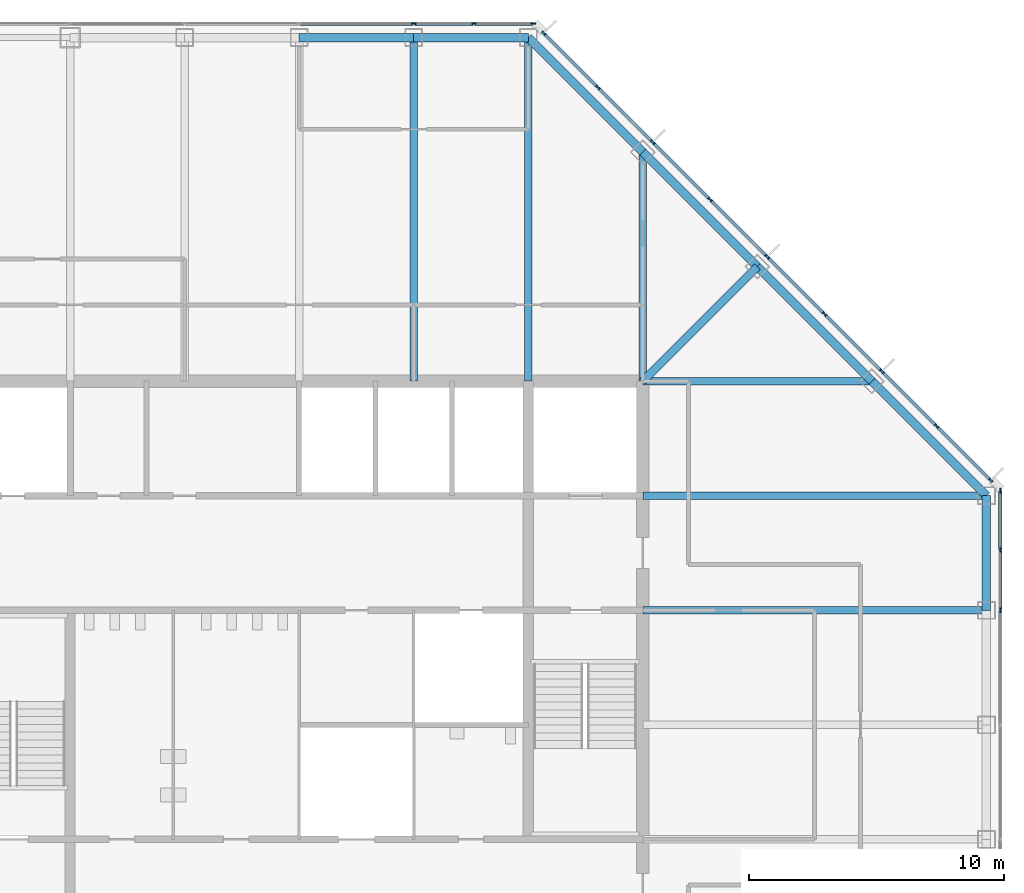
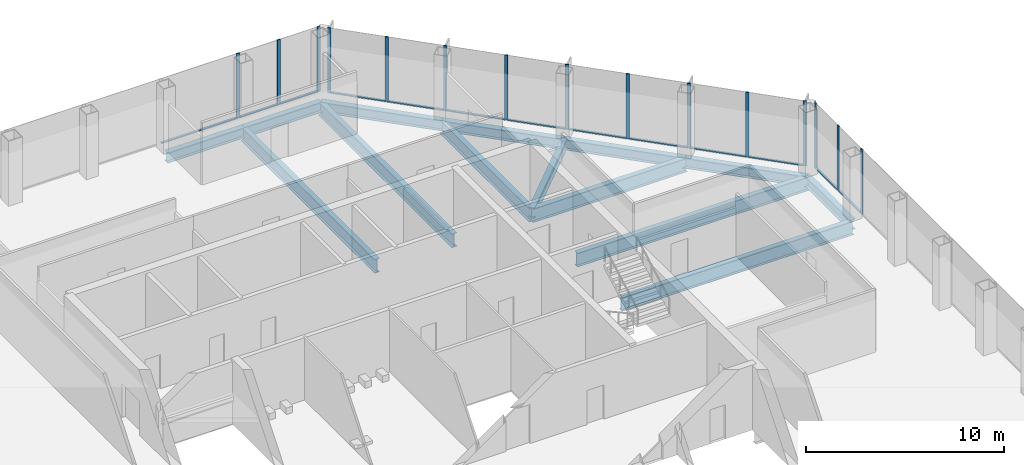
# One storey, part 6 of 12: 28 members, 14 beams, 3 elements without a shape of their own.
"""IFC4 building model written with IfcOpenShell, lengths in metres."""

import ifcopenshell
import ifcopenshell.guid

model = None  # the IFC model being written
_history = None  # IfcOwnerHistory: only IFC2X3 demands one
_inside = {}  # id of a spatial element -> (the spatial element, [elements in it])
_under = {}  # id of a project, library or spatial element -> (it, [spatial elements below it])
_declared = {}  # id of a project -> (the project, [libraries it declares])
_typed = {}  # id of a type object -> (the type object, [elements of that type])
_made_of = {}  # id of a material, layer set ... -> (it, [elements and type objects made of it])


def new_model(schema):
    """Start an empty IFC model of exactly this schema.

    Asked for "IFC4X3", IfcOpenShell would pick the latest addendum, in which some entities
    have other attributes; the version numbers below select the first issue.
    IFC2X3 requires an IfcOwnerHistory on every rooted entity: one is made here for all.
    """
    global model, _history
    if schema == "IFC4X3":
        model = ifcopenshell.file(schema_version=(4, 3, 0, 0))
    else:
        model = ifcopenshell.file(schema=schema)
    _inside.clear()
    _under.clear()
    _declared.clear()
    _typed.clear()
    _made_of.clear()
    _history = None
    if model.schema == "IFC2X3":
        org = make("IfcOrganization", Name="unknown")
        user = make(
            "IfcPersonAndOrganization",
            ThePerson=make("IfcPerson", FamilyName="unknown"),
            TheOrganization=org,
        )
        app = make(
            "IfcApplication",
            ApplicationDeveloper=org,
            Version="unknown",
            ApplicationFullName="unknown",
            ApplicationIdentifier="unknown",
        )
        _history = make(
            "IfcOwnerHistory",
            OwningUser=user,
            OwningApplication=app,
            ChangeAction="ADDED",
            CreationDate=0,
        )
    return model


def make(cls, **values):
    """One entity of the class cls with the attributes given. An attribute that is None is left unset."""
    return model.create_entity(
        cls, **{name: value for name, value in values.items() if value is not None}
    )


def rooted(cls, **values):
    """An entity with a GlobalId (a new one), such as an element, a storey or a relation."""
    return make(cls, GlobalId=ifcopenshell.guid.new(), OwnerHistory=_history, **values)


def si_unit(unit_type, name, prefix=None):
    """IfcSIUnit, for example si_unit("LENGTHUNIT", "METRE", prefix="MILLI")."""
    return make("IfcSIUnit", UnitType=unit_type, Prefix=prefix, Name=name)


def assignment(units):
    """IfcUnitAssignment: the units of a project."""
    return None if units is None else make("IfcUnitAssignment", Units=units)


def point(xyz):
    """IfcCartesianPoint."""
    return None if xyz is None else make("IfcCartesianPoint", Coordinates=xyz)


def direction(xyz):
    """IfcDirection."""
    return None if xyz is None else make("IfcDirection", DirectionRatios=xyz)


def frame(location, z_axis=None, x_axis=None):
    """IfcAxis2Placement3D, a coordinate frame: its origin and axes. An axis left out is left unset."""
    return make(
        "IfcAxis2Placement3D",
        Location=point(location),
        Axis=direction(z_axis),
        RefDirection=direction(x_axis),
    )


def frame_2d(location, x_axis=None):
    """IfcAxis2Placement2D, a coordinate frame in the plane: its origin and x axis."""
    return make(
        "IfcAxis2Placement2D", Location=point(location), RefDirection=direction(x_axis)
    )


def origin():
    """The frame at (0, 0, 0) with its axes left unset."""
    return frame((0.0, 0.0, 0.0))


def origin_2d():
    """The frame at (0, 0) in the plane with its x axis left unset."""
    return frame_2d((0.0, 0.0))


def place(relative_to, where):
    """IfcLocalPlacement: puts the frame where relative to a parent placement (None: the world)."""
    return make(
        "IfcLocalPlacement", PlacementRelTo=relative_to, RelativePlacement=where
    )


def context(
    kind, dimensions, precision=None, world=None, true_north=None, identifier=None
):
    """IfcGeometricRepresentationContext, for example the 3D "Model" context."""
    return make(
        "IfcGeometricRepresentationContext",
        ContextIdentifier=identifier,
        ContextType=kind,
        CoordinateSpaceDimension=dimensions,
        Precision=precision,
        WorldCoordinateSystem=world,
        TrueNorth=true_north,
    )


def subcontext(parent, identifier, kind, view, scale=None):
    """IfcGeometricRepresentationSubContext, for example "Body" below "Model"."""
    return make(
        "IfcGeometricRepresentationSubContext",
        ContextIdentifier=identifier,
        ContextType=kind,
        ParentContext=parent,
        TargetScale=scale,
        TargetView=view,
    )


def project(units=None, contexts=None):
    """IfcProject with its units and contexts."""
    return rooted(
        "IfcProject",
        Name="project",
        RepresentationContexts=contexts,
        UnitsInContext=assignment(units),
    )


def spatial(cls, under=None, at=None, **own):
    """A site, building, storey or space (cls), placed at a placement, below another one or the project."""
    s = rooted(cls, ObjectPlacement=at, **own)
    if under is not None:
        _under.setdefault(under.id(), (under, []))[1].append(s)
    return s


def profile(cls, at=None, kind="AREA", **sizes):
    """A parametric profile (cls). Its sizes go by their IFC names, for example OverallWidth=200.0."""
    return make(cls, ProfileType=kind, Position=at, **sizes)


def rectangle(**sizes):
    """IfcRectangleProfileDef."""
    return profile("IfcRectangleProfileDef", **sizes)


def i_section(**sizes):
    """IfcIShapeProfileDef."""
    return profile("IfcIShapeProfileDef", **sizes)


def extrude(swept, where, along, depth):
    """IfcExtrudedAreaSolid: the profile swept, set in the frame where, extruded along a direction by depth."""
    return make(
        "IfcExtrudedAreaSolid",
        SweptArea=swept,
        Position=where,
        ExtrudedDirection=direction(along),
        Depth=depth,
    )


def shape(context_of_items, identifier, shape_type, items):
    """IfcShapeRepresentation: the items that make up one representation, for example the "Body"."""
    return make(
        "IfcShapeRepresentation",
        ContextOfItems=context_of_items,
        RepresentationIdentifier=identifier,
        RepresentationType=shape_type,
        Items=items,
    )


def material(Name=None, Category=None):
    """IfcMaterial."""
    return make("IfcMaterial", Name=Name, Category=Category)


def material_profile(
    of_material, cross_section, Name=None, Category=None, Priority=None
):
    """IfcMaterialProfile: a cross section and its material."""
    return make(
        "IfcMaterialProfile",
        Name=Name,
        Material=of_material,
        Profile=cross_section,
        Priority=Priority,
        Category=Category,
    )


def profile_set(profiles, Name=None, composite=None):
    """IfcMaterialProfileSet."""
    return make(
        "IfcMaterialProfileSet",
        Name=Name,
        MaterialProfiles=profiles,
        CompositeProfile=composite,
    )


def made_of(thing, what):
    """Note that an element or type object is made of a material, layer set ...; save() writes the relation."""
    if what is not None:
        _made_of.setdefault(what.id(), (what, []))[1].append(thing)
    return thing


def type_object(cls, material=None, **own):
    """A type object (cls), such as IfcWallType, which elements share."""
    return made_of(rooted(cls, **own), material)


def element(
    cls,
    number,
    at=None,
    inside=None,
    cuts=None,
    type_object=None,
    material=None,
    context=None,
    identifier="Body",
    shape_type=None,
    held_by="IfcProductDefinitionShape",
    body=None,
    shapes=None,
    **own,
):
    """One element of the class cls, such as IfcWall. Its Tag is "e" and its number.

    at: its placement. inside: the storey or other place that contains it. cuts: it is an
    opening in that element (IfcRelVoidsElement). A single representation is given by context,
    identifier, shape_type and body (its items); several are given by shapes. held_by: the class
    of the entity that holds the representations. save() writes the other relations.
    """
    e = rooted(cls, Tag="e%d" % number, ObjectPlacement=at, **own)
    if body is not None:
        shapes = [shape(context, identifier, shape_type, body)]
    if shapes is not None:
        e.Representation = make(held_by, Representations=shapes)
    if inside is not None:
        _inside.setdefault(inside.id(), (inside, []))[1].append(e)
    if cuts is not None:
        rooted(
            "IfcRelVoidsElement", RelatingBuildingElement=cuts, RelatedOpeningElement=e
        )
    if type_object is not None:
        _typed.setdefault(type_object.id(), (type_object, []))[1].append(e)
    return made_of(e, material)


def aggregate(whole, parts):
    """IfcRelAggregates: a whole, such as a stair, and the parts it consists of."""
    return rooted("IfcRelAggregates", RelatingObject=whole, RelatedObjects=parts)


def save(model, path):
    """Write the relations noted so far, then the file.

    IfcRelAggregates (storeys below a building ...), IfcRelContainedInSpatialStructure (elements
    in a storey), IfcRelDefinesByType, IfcRelAssociatesMaterial and IfcRelDeclares: one each for
    every whole, place, type object, material and project.
    """
    for whole, parts in _under.values():
        aggregate(whole, parts)
    for where, things in _inside.values():
        rooted(
            "IfcRelContainedInSpatialStructure",
            RelatedElements=things,
            RelatingStructure=where,
        )
    for kind, things in _typed.values():
        rooted("IfcRelDefinesByType", RelatedObjects=things, RelatingType=kind)
    for what, things in _made_of.values():
        rooted("IfcRelAssociatesMaterial", RelatedObjects=things, RelatingMaterial=what)
    for by, libraries in _declared.values():
        rooted("IfcRelDeclares", RelatingContext=by, RelatedDefinitions=libraries)
    model.write(path)


model = new_model("IFC4")

# Units and contexts
model_context = context("Model", 3, precision=1e-05, world=origin(), true_north=direction((0.0, 1.0)))
body_context = subcontext(model_context, "Body", "Model", "MODEL_VIEW")
ifc_project = project(units=[si_unit("LENGTHUNIT", "METRE"), si_unit("AREAUNIT", "SQUARE_METRE"), si_unit("VOLUMEUNIT", "CUBIC_METRE"), si_unit("PLANEANGLEUNIT", "RADIAN"), si_unit("MASSUNIT", "GRAM", prefix="KILO")], contexts=[model_context])

# Site, building, storey
site_placement = place(None, origin())
site = spatial("IfcSite", under=ifc_project, at=site_placement, CompositionType="ELEMENT")
building_placement = place(site_placement, origin())
building = spatial("IfcBuilding", under=site, at=building_placement, Name="Corais Broadcast Tower", CompositionType="ELEMENT")
storey_placement = place(building_placement, frame((0.0, 0.0, 183.60009765625)))
storey = spatial("IfcBuildingStorey", under=building, at=storey_placement, Name="L42", CompositionType="ELEMENT", Elevation=183.60009765625)

# Beams
ifc_material_1 = material(Name="Steel ASTM A572 Grade 50", Category="steel")
ifc_material_profile_1 = material_profile(ifc_material_1, i_section(OverallWidth=0.323974609375, OverallDepth=0.611083984375, WebThickness=0.0126953125, FlangeThickness=0.01904296875, at=origin_2d()), Name="W610x155")
ifc_profile_set_1 = profile_set([ifc_material_profile_1], Name="Steel ASTM A572 Grade 50")
beam_type_1 = type_object("IfcBeamType", Name="Corner diagonal W610x155", PredefinedType="BEAM", material=ifc_profile_set_1)
beam_1_placement = place(storey_placement, frame((45.0, 45.0, -0.465576171875), z_axis=(-0.707106781187, -0.707106781187, 0.0), x_axis=(0.707106781187, -0.707106781187, 0.0)))
element("IfcBeam", 1, at=beam_1_placement, inside=storey, type_object=beam_type_1, Name="B6 L/13 to K/12", PredefinedType="BEAM", context=body_context, shape_type="SweptSolid", body=[
    extrude(i_section(OverallWidth=0.323974609375, OverallDepth=0.611083984375, WebThickness=0.0126953125, FlangeThickness=0.01904296875, at=origin_2d()), origin(), (0.0, 0.0, 1.0), 6.364013671875),
])
ifc_material_2 = material(Name="Steel ASTM A572 Grade 50", Category="steel")
ifc_material_profile_2 = material_profile(ifc_material_2, i_section(OverallWidth=0.2939453125, OverallDepth=0.85107421875, WebThickness=0.01611328125, FlangeThickness=0.02685546875, at=origin_2d()), Name="W840x226")
ifc_profile_set_2 = profile_set([ifc_material_profile_2], Name="Steel ASTM A572 Grade 50")
beam_type_2 = type_object("IfcBeamType", Name="Floor beam W840x226", PredefinedType="BEAM", material=ifc_profile_set_2)
for number, where, z_axis, x_axis, name in (
    (2, (31.5, 54.0, -0.585693359375), (0.0, -1.0, 0.0), (1.0, 0.0, 0.0), "B1 N/10 to K/10"),
    (3, (36.0, 54.0, -0.585693359375), (0.0, -1.0, 0.0), (1.0, 0.0, 0.0), "B1 N/11 to K/11"),
):
    element("IfcBeam", number, at=place(storey_placement, frame(where, z_axis=z_axis, x_axis=x_axis)), inside=storey, type_object=beam_type_2, Name=name, PredefinedType="BEAM", context=body_context, shape_type="SweptSolid", body=[
        extrude(i_section(OverallWidth=0.2939453125, OverallDepth=0.85107421875, WebThickness=0.01611328125, FlangeThickness=0.02685546875, at=origin_2d()), origin(), (0.0, 0.0, 1.0), 13.5),
    ])
for number, where, z_axis, x_axis, name in (
    (4, (40.5, 49.5, -0.585693359375), (0.0, -1.0, 0.0), (1.0, 0.0, 0.0), "B1 M/12 to K/12"),
    (5, (49.5, 40.5, -0.585693359375), (-1.0, 0.0, 0.0), (0.0, -1.0, 0.0), "B1 K/14 to K/12"),
):
    element("IfcBeam", number, at=place(storey_placement, frame(where, z_axis=z_axis, x_axis=x_axis)), inside=storey, type_object=beam_type_2, Name=name, PredefinedType="BEAM", context=body_context, shape_type="SweptSolid", body=[
        extrude(i_section(OverallWidth=0.2939453125, OverallDepth=0.85107421875, WebThickness=0.01611328125, FlangeThickness=0.02685546875, at=origin_2d()), origin(), (0.0, 0.0, 1.0), 9.0),
    ])
for number, where, z_axis, x_axis, name in (
    (6, (54.0, 31.5, -0.585693359375), (-1.0, 0.0, 0.0), (0.0, -1.0, 0.0), "B1 H/15 to H/12"),
    (7, (54.0, 36.0, -0.585693359375), (-1.0, 0.0, 0.0), (0.0, -1.0, 0.0), "B1 J/15 to J/12"),
):
    element("IfcBeam", number, at=place(storey_placement, frame(where, z_axis=z_axis, x_axis=x_axis)), inside=storey, type_object=beam_type_2, Name=name, PredefinedType="BEAM", context=body_context, shape_type="SweptSolid", body=[
        extrude(i_section(OverallWidth=0.2939453125, OverallDepth=0.85107421875, WebThickness=0.01611328125, FlangeThickness=0.02685546875, at=origin_2d()), origin(), (0.0, 0.0, 1.0), 13.5),
    ])

# Curtain wall, members
ifc_material_3 = material(Name="Aluminium and glass", Category="aluminium")
curtain_wall_type = type_object("IfcCurtainWallType", Name="Unitised fritted curtain wall CW2", PredefinedType="NOTDEFINED", material=ifc_material_3)
curtain_wall_1_placement = place(storey_placement, origin())
curtain_wall_1 = element("IfcCurtainWall", 8, at=curtain_wall_1_placement, inside=storey, type_object=curtain_wall_type, Name="CW2 curtain wall L42 4", PredefinedType="NOTDEFINED")
ifc_material_4 = material(Name="Aluminium 6063-T6", Category="aluminium")
ifc_material_profile_3 = material_profile(ifc_material_4, rectangle(XDim=0.06494140625, YDim=0.179931640625, at=origin_2d()), Name="Mullion CW2 65x180")
ifc_profile_set_3 = profile_set([ifc_material_profile_3], Name="Aluminium 6063-T6")
member_type_1 = type_object("IfcMemberType", Name="Mullion CW2 65x180", PredefinedType="MULLION", material=ifc_profile_set_3)
member_1_placement = place(storey_placement, frame((31.5, 54.550048828125, 0.0), z_axis=(0.0, 0.0, 1.0), x_axis=(0.0, 1.0, 0.0)))
member_1 = element("IfcMember", 9, at=member_1_placement, type_object=member_type_1, Name="CW2 mullion 7", PredefinedType="MULLION", context=body_context, shape_type="SweptSolid", body=[
    extrude(rectangle(XDim=0.06494140625, YDim=0.179931640625, at=origin_2d()), origin(), (0.0, 0.0, 1.0), 4.0),
])
member_2_placement = place(storey_placement, frame((33.864013671875, 54.550048828125, 0.0), z_axis=(0.0, 0.0, 1.0), x_axis=(0.0, 1.0, 0.0)))
member_2 = element("IfcMember", 10, at=member_2_placement, type_object=member_type_1, Name="CW2 mullion 8", PredefinedType="MULLION", context=body_context, shape_type="SweptSolid", body=[
    extrude(rectangle(XDim=0.06494140625, YDim=0.179931640625, at=origin_2d()), origin(), (0.0, 0.0, 1.0), 4.0),
])
member_3_placement = place(storey_placement, frame((36.1953125, 54.550048828125, 0.0), z_axis=(0.0, 0.0, 1.0), x_axis=(0.0, 1.0, 0.0)))
member_3 = element("IfcMember", 11, at=member_3_placement, type_object=member_type_1, Name="CW2 mullion 9", PredefinedType="MULLION", context=body_context, shape_type="SweptSolid", body=[
    extrude(rectangle(XDim=0.06494140625, YDim=0.179931640625, at=origin_2d()), origin(), (0.0, 0.0, 1.0), 4.0),
])

curtain_wall_2_placement = place(storey_placement, origin())
curtain_wall_2 = element("IfcCurtainWall", 12, at=curtain_wall_2_placement, inside=storey, type_object=curtain_wall_type, Name="CW2 curtain wall L42 5", PredefinedType="NOTDEFINED")
member_4_placement = place(storey_placement, frame((36.6044921875, 54.17333984375, 0.0), z_axis=(0.0, 0.0, 1.0), x_axis=(0.707106781187, 0.707106781187, 0.0)))
member_4 = element("IfcMember", 13, at=member_4_placement, type_object=member_type_1, Name="CW2 mullion 1", PredefinedType="MULLION", context=body_context, shape_type="SweptSolid", body=[
    extrude(rectangle(XDim=0.06494140625, YDim=0.179931640625, at=origin_2d()), origin(), (0.0, 0.0, 1.0), 4.0),
])
member_5_placement = place(storey_placement, frame((38.735107421875, 52.042724609375, 0.0), z_axis=(0.0, 0.0, 1.0), x_axis=(0.707106781187, 0.707106781187, 0.0)))
member_5 = element("IfcMember", 14, at=member_5_placement, type_object=member_type_1, Name="CW2 mullion 2", PredefinedType="MULLION", context=body_context, shape_type="SweptSolid", body=[
    extrude(rectangle(XDim=0.06494140625, YDim=0.179931640625, at=origin_2d()), origin(), (0.0, 0.0, 1.0), 4.0),
])
member_6_placement = place(storey_placement, frame((40.888916015625, 49.888916015625, 0.0), z_axis=(0.0, 0.0, 1.0), x_axis=(0.707106781187, 0.707106781187, 0.0)))
member_6 = element("IfcMember", 15, at=member_6_placement, type_object=member_type_1, Name="CW2 mullion 3", PredefinedType="MULLION", context=body_context, shape_type="SweptSolid", body=[
    extrude(rectangle(XDim=0.06494140625, YDim=0.179931640625, at=origin_2d()), origin(), (0.0, 0.0, 1.0), 4.0),
])
member_7_placement = place(storey_placement, frame((43.138916015625, 47.638916015625, 0.0), z_axis=(0.0, 0.0, 1.0), x_axis=(0.707106781187, 0.707106781187, 0.0)))
member_7 = element("IfcMember", 16, at=member_7_placement, type_object=member_type_1, Name="CW2 mullion 4", PredefinedType="MULLION", context=body_context, shape_type="SweptSolid", body=[
    extrude(rectangle(XDim=0.06494140625, YDim=0.179931640625, at=origin_2d()), origin(), (0.0, 0.0, 1.0), 4.0),
])
member_8_placement = place(storey_placement, frame((45.388916015625, 45.388916015625, 0.0), z_axis=(0.0, 0.0, 1.0), x_axis=(0.707106781187, 0.707106781187, 0.0)))
member_8 = element("IfcMember", 17, at=member_8_placement, type_object=member_type_1, Name="CW2 mullion 5", PredefinedType="MULLION", context=body_context, shape_type="SweptSolid", body=[
    extrude(rectangle(XDim=0.06494140625, YDim=0.179931640625, at=origin_2d()), origin(), (0.0, 0.0, 1.0), 4.0),
])
member_9_placement = place(storey_placement, frame((47.638916015625, 43.138916015625, 0.0), z_axis=(0.0, 0.0, 1.0), x_axis=(0.707106781187, 0.707106781187, 0.0)))
member_9 = element("IfcMember", 18, at=member_9_placement, type_object=member_type_1, Name="CW2 mullion 6", PredefinedType="MULLION", context=body_context, shape_type="SweptSolid", body=[
    extrude(rectangle(XDim=0.06494140625, YDim=0.179931640625, at=origin_2d()), origin(), (0.0, 0.0, 1.0), 4.0),
])
member_10_placement = place(storey_placement, frame((49.888916015625, 40.888916015625, 0.0), z_axis=(0.0, 0.0, 1.0), x_axis=(0.707106781187, 0.707106781187, 0.0)))
member_10 = element("IfcMember", 19, at=member_10_placement, type_object=member_type_1, Name="CW2 mullion 7", PredefinedType="MULLION", context=body_context, shape_type="SweptSolid", body=[
    extrude(rectangle(XDim=0.06494140625, YDim=0.179931640625, at=origin_2d()), origin(), (0.0, 0.0, 1.0), 4.0),
])
member_11_placement = place(storey_placement, frame((52.042724609375, 38.735107421875, 0.0), z_axis=(0.0, 0.0, 1.0), x_axis=(0.707106781187, 0.707106781187, 0.0)))
member_11 = element("IfcMember", 20, at=member_11_placement, type_object=member_type_1, Name="CW2 mullion 8", PredefinedType="MULLION", context=body_context, shape_type="SweptSolid", body=[
    extrude(rectangle(XDim=0.06494140625, YDim=0.179931640625, at=origin_2d()), origin(), (0.0, 0.0, 1.0), 4.0),
])
member_12_placement = place(storey_placement, frame((54.17333984375, 36.6044921875, 0.0), z_axis=(0.0, 0.0, 1.0), x_axis=(0.707106781187, 0.707106781187, 0.0)))
member_12 = element("IfcMember", 21, at=member_12_placement, type_object=member_type_1, Name="CW2 mullion 9", PredefinedType="MULLION", context=body_context, shape_type="SweptSolid", body=[
    extrude(rectangle(XDim=0.06494140625, YDim=0.179931640625, at=origin_2d()), origin(), (0.0, 0.0, 1.0), 4.0),
])

curtain_wall_3_placement = place(storey_placement, origin())
curtain_wall_3 = element("IfcCurtainWall", 22, at=curtain_wall_3_placement, inside=storey, type_object=curtain_wall_type, Name="CW2 curtain wall L42 6", PredefinedType="NOTDEFINED")
member_13_placement = place(storey_placement, frame((54.550048828125, 36.1953125, 0.0), z_axis=(0.0, 0.0, 1.0), x_axis=(1.0, 0.0, 0.0)))
member_13 = element("IfcMember", 23, at=member_13_placement, type_object=member_type_1, Name="CW2 mullion 1", PredefinedType="MULLION", context=body_context, shape_type="SweptSolid", body=[
    extrude(rectangle(XDim=0.06494140625, YDim=0.179931640625, at=origin_2d()), origin(), (0.0, 0.0, 1.0), 4.0),
])
member_14_placement = place(storey_placement, frame((54.550048828125, 33.864013671875, 0.0), z_axis=(0.0, 0.0, 1.0), x_axis=(1.0, 0.0, 0.0)))
member_14 = element("IfcMember", 24, at=member_14_placement, type_object=member_type_1, Name="CW2 mullion 2", PredefinedType="MULLION", context=body_context, shape_type="SweptSolid", body=[
    extrude(rectangle(XDim=0.06494140625, YDim=0.179931640625, at=origin_2d()), origin(), (0.0, 0.0, 1.0), 4.0),
])
member_15_placement = place(storey_placement, frame((54.550048828125, 31.5, 0.0), z_axis=(0.0, 0.0, 1.0), x_axis=(1.0, 0.0, 0.0)))
member_15 = element("IfcMember", 25, at=member_15_placement, type_object=member_type_1, Name="CW2 mullion 3", PredefinedType="MULLION", context=body_context, shape_type="SweptSolid", body=[
    extrude(rectangle(XDim=0.06494140625, YDim=0.179931640625, at=origin_2d()), origin(), (0.0, 0.0, 1.0), 4.0),
])

# Beams
ifc_material_5 = material(Name="Steel ASTM A572 Grade 50", Category="steel")
ifc_material_profile_4 = material_profile(ifc_material_5, i_section(OverallWidth=0.3291015625, OverallDepth=0.635009765625, WebThickness=0.017822265625, FlangeThickness=0.031005859375, at=origin_2d()), Name="W610x241")
ifc_profile_set_4 = profile_set([ifc_material_profile_4], Name="Steel ASTM A572 Grade 50")
beam_type_3 = type_object("IfcBeamType", Name="Spandrel W610x241", PredefinedType="BEAM", material=ifc_profile_set_4)
for number, where, z_axis, x_axis, name in (
    (26, (31.5, 54.0, -0.4775390625), (-1.0, 0.0, 0.0), (0.0, -1.0, 0.0), "SB1 N/10 to N/9"),
    (27, (36.0, 54.0, -0.4775390625), (-1.0, 0.0, 0.0), (0.0, -1.0, 0.0), "SB1 N/11 to N/10"),
):
    element("IfcBeam", number, at=place(storey_placement, frame(where, z_axis=z_axis, x_axis=x_axis)), inside=storey, type_object=beam_type_3, Name=name, PredefinedType="BEAM", context=body_context, shape_type="SweptSolid", body=[
        extrude(i_section(OverallWidth=0.3291015625, OverallDepth=0.635009765625, WebThickness=0.017822265625, FlangeThickness=0.031005859375, at=origin_2d()), origin(), (0.0, 0.0, 1.0), 4.5),
    ])
for number, where, z_axis, x_axis, name in (
    (28, (40.5, 49.5, -0.4775390625), (-0.707106781187, 0.707106781187, 0.0), (-0.707106781187, -0.707106781187, 0.0), "SB1 M/12 to N/11"),
    (29, (45.0, 45.0, -0.4775390625), (-0.707106781187, 0.707106781187, 0.0), (-0.707106781187, -0.707106781187, 0.0), "SB1 L/13 to M/12"),
    (30, (49.5, 40.5, -0.4775390625), (-0.707106781187, 0.707106781187, 0.0), (-0.707106781187, -0.707106781187, 0.0), "SB1 K/14 to L/13"),
):
    element("IfcBeam", number, at=place(storey_placement, frame(where, z_axis=z_axis, x_axis=x_axis)), inside=storey, type_object=beam_type_3, Name=name, PredefinedType="BEAM", context=body_context, shape_type="SweptSolid", body=[
        extrude(i_section(OverallWidth=0.3291015625, OverallDepth=0.635009765625, WebThickness=0.017822265625, FlangeThickness=0.031005859375, at=origin_2d()), origin(), (0.0, 0.0, 1.0), 6.364013671875),
    ])
beam_2_placement = place(storey_placement, frame((54.0, 31.5, -0.4775390625), z_axis=(0.0, 1.0, 0.0), x_axis=(-1.0, 0.0, 0.0)))
element("IfcBeam", 31, at=beam_2_placement, inside=storey, type_object=beam_type_3, Name="SB1 H/15 to J/15", PredefinedType="BEAM", context=body_context, shape_type="SweptSolid", body=[
    extrude(i_section(OverallWidth=0.3291015625, OverallDepth=0.635009765625, WebThickness=0.017822265625, FlangeThickness=0.031005859375, at=origin_2d()), origin(), (0.0, 0.0, 1.0), 4.5),
])
beam_3_placement = place(storey_placement, frame((54.0, 36.0, -0.4775390625), z_axis=(-0.707106781187, 0.707106781187, 0.0), x_axis=(-0.707106781187, -0.707106781187, 0.0)))
element("IfcBeam", 32, at=beam_3_placement, inside=storey, type_object=beam_type_3, Name="SB1 J/15 to K/14", PredefinedType="BEAM", context=body_context, shape_type="SweptSolid", body=[
    extrude(i_section(OverallWidth=0.3291015625, OverallDepth=0.635009765625, WebThickness=0.017822265625, FlangeThickness=0.031005859375, at=origin_2d()), origin(), (0.0, 0.0, 1.0), 6.364013671875),
])

# Member
ifc_material_6 = material(Name="Aluminium 6063-T6", Category="aluminium")
ifc_material_profile_5 = material_profile(ifc_material_6, rectangle(XDim=0.1298828125, YDim=0.06494140625, at=origin_2d()), Name="Transom CW2 65x130")
ifc_profile_set_5 = profile_set([ifc_material_profile_5], Name="Aluminium 6063-T6")
member_type_2 = type_object("IfcMemberType", Name="Transom CW2 65x130", PredefinedType="USERDEFINED", material=ifc_profile_set_5)
member_16_placement = place(storey_placement, frame((27.032470703125, 54.550048828125, 0.032470703125), z_axis=(1.0, 0.0, 0.0), x_axis=(0.0, 1.0, 0.0)))
member_16 = element("IfcMember", 33, at=member_16_placement, type_object=member_type_2, Name="CW2 transom 6.1", ObjectType="TRANSOM", PredefinedType="USERDEFINED", context=body_context, shape_type="SweptSolid", body=[
    extrude(rectangle(XDim=0.1298828125, YDim=0.06494140625, at=origin_2d()), origin(), (0.0, 0.0, 1.0), 4.43505859375),
])

member_17_placement = place(storey_placement, frame((31.532470703125, 54.550048828125, 0.032470703125), z_axis=(1.0, 0.0, 0.0), x_axis=(0.0, 1.0, 0.0)))
member_17 = element("IfcMember", 34, at=member_17_placement, type_object=member_type_2, Name="CW2 transom 7.1", ObjectType="TRANSOM", PredefinedType="USERDEFINED", context=body_context, shape_type="SweptSolid", body=[
    extrude(rectangle(XDim=0.1298828125, YDim=0.06494140625, at=origin_2d()), origin(), (0.0, 0.0, 1.0), 2.298828125),
])

member_18_placement = place(storey_placement, frame((33.896484375, 54.550048828125, 0.032470703125), z_axis=(1.0, 0.0, 0.0), x_axis=(0.0, 1.0, 0.0)))
member_18 = element("IfcMember", 35, at=member_18_placement, type_object=member_type_2, Name="CW2 transom 8.1", ObjectType="TRANSOM", PredefinedType="USERDEFINED", context=body_context, shape_type="SweptSolid", body=[
    extrude(rectangle(XDim=0.1298828125, YDim=0.06494140625, at=origin_2d()), origin(), (0.0, 0.0, 1.0), 2.266357421875),
])

aggregate(curtain_wall_1, [member_1, member_2, member_3, member_16, member_17, member_18])

member_19_placement = place(storey_placement, frame((36.62744140625, 54.150390625, 0.032470703125), z_axis=(0.707106781187, -0.707106781187, 0.0), x_axis=(0.707106781187, 0.707106781187, 0.0)))
member_19 = element("IfcMember", 36, at=member_19_placement, type_object=member_type_2, Name="CW2 transom 1.1", ObjectType="TRANSOM", PredefinedType="USERDEFINED", context=body_context, shape_type="SweptSolid", body=[
    extrude(rectangle(XDim=0.1298828125, YDim=0.06494140625, at=origin_2d()), origin(), (0.0, 0.0, 1.0), 2.9482421875),
])

member_20_placement = place(storey_placement, frame((38.758056640625, 52.019775390625, 0.032470703125), z_axis=(0.707106781187, -0.707106781187, 0.0), x_axis=(0.707106781187, 0.707106781187, 0.0)))
member_20 = element("IfcMember", 37, at=member_20_placement, type_object=member_type_2, Name="CW2 transom 2.1", ObjectType="TRANSOM", PredefinedType="USERDEFINED", context=body_context, shape_type="SweptSolid", body=[
    extrude(rectangle(XDim=0.1298828125, YDim=0.06494140625, at=origin_2d()), origin(), (0.0, 0.0, 1.0), 2.98095703125),
])

member_21_placement = place(storey_placement, frame((40.911865234375, 49.865966796875, 0.032470703125), z_axis=(0.707106781187, -0.707106781187, 0.0), x_axis=(0.707106781187, 0.707106781187, 0.0)))
member_21 = element("IfcMember", 38, at=member_21_placement, type_object=member_type_2, Name="CW2 transom 3.1", ObjectType="TRANSOM", PredefinedType="USERDEFINED", context=body_context, shape_type="SweptSolid", body=[
    extrude(rectangle(XDim=0.1298828125, YDim=0.06494140625, at=origin_2d()), origin(), (0.0, 0.0, 1.0), 3.1171875),
])

member_22_placement = place(storey_placement, frame((43.161865234375, 47.615966796875, 0.032470703125), z_axis=(0.707106781187, -0.707106781187, 0.0), x_axis=(0.707106781187, 0.707106781187, 0.0)))
member_22 = element("IfcMember", 39, at=member_22_placement, type_object=member_type_2, Name="CW2 transom 4.1", ObjectType="TRANSOM", PredefinedType="USERDEFINED", context=body_context, shape_type="SweptSolid", body=[
    extrude(rectangle(XDim=0.1298828125, YDim=0.06494140625, at=origin_2d()), origin(), (0.0, 0.0, 1.0), 3.1171875),
])

member_23_placement = place(storey_placement, frame((45.411865234375, 45.365966796875, 0.032470703125), z_axis=(0.707106781187, -0.707106781187, 0.0), x_axis=(0.707106781187, 0.707106781187, 0.0)))
member_23 = element("IfcMember", 40, at=member_23_placement, type_object=member_type_2, Name="CW2 transom 5.1", ObjectType="TRANSOM", PredefinedType="USERDEFINED", context=body_context, shape_type="SweptSolid", body=[
    extrude(rectangle(XDim=0.1298828125, YDim=0.06494140625, at=origin_2d()), origin(), (0.0, 0.0, 1.0), 3.1171875),
])

member_24_placement = place(storey_placement, frame((47.661865234375, 43.115966796875, 0.032470703125), z_axis=(0.707106781187, -0.707106781187, 0.0), x_axis=(0.707106781187, 0.707106781187, 0.0)))
member_24 = element("IfcMember", 41, at=member_24_placement, type_object=member_type_2, Name="CW2 transom 6.1", ObjectType="TRANSOM", PredefinedType="USERDEFINED", context=body_context, shape_type="SweptSolid", body=[
    extrude(rectangle(XDim=0.1298828125, YDim=0.06494140625, at=origin_2d()), origin(), (0.0, 0.0, 1.0), 3.1171875),
])

member_25_placement = place(storey_placement, frame((49.911865234375, 40.865966796875, 0.032470703125), z_axis=(0.707065828661, -0.70714773134, 0.0), x_axis=(0.70714773134, 0.707065828661, 0.0)))
member_25 = element("IfcMember", 42, at=member_25_placement, type_object=member_type_2, Name="CW2 transom 7.1", ObjectType="TRANSOM", PredefinedType="USERDEFINED", context=body_context, shape_type="SweptSolid", body=[
    extrude(rectangle(XDim=0.1298828125, YDim=0.06494140625, at=origin_2d()), origin(), (0.0, 0.0, 1.0), 2.98095703125),
])

member_26_placement = place(storey_placement, frame((52.065673828125, 38.712158203125, 0.032470703125), z_axis=(0.707106781187, -0.707106781187, 0.0), x_axis=(0.707106781187, 0.707106781187, 0.0)))
member_26 = element("IfcMember", 43, at=member_26_placement, type_object=member_type_2, Name="CW2 transom 8.1", ObjectType="TRANSOM", PredefinedType="USERDEFINED", context=body_context, shape_type="SweptSolid", body=[
    extrude(rectangle(XDim=0.1298828125, YDim=0.06494140625, at=origin_2d()), origin(), (0.0, 0.0, 1.0), 2.9482421875),
])

aggregate(curtain_wall_2, [member_4, member_5, member_6, member_7, member_8, member_9, member_10, member_11, member_12, member_19, member_20, member_21, member_22, member_23, member_24, member_25, member_26])

member_27_placement = place(storey_placement, frame((54.550048828125, 36.162841796875, 0.032470703125), z_axis=(0.0, -1.0, 0.0), x_axis=(1.0, 0.0, 0.0)))
member_27 = element("IfcMember", 44, at=member_27_placement, type_object=member_type_2, Name="CW2 transom 1.1", ObjectType="TRANSOM", PredefinedType="USERDEFINED", context=body_context, shape_type="SweptSolid", body=[
    extrude(rectangle(XDim=0.1298828125, YDim=0.06494140625, at=origin_2d()), origin(), (0.0, 0.0, 1.0), 2.266357421875),
])

member_28_placement = place(storey_placement, frame((54.550048828125, 33.831298828125, 0.032470703125), z_axis=(0.0, -1.0, 0.0), x_axis=(1.0, 0.0, 0.0)))
member_28 = element("IfcMember", 45, at=member_28_placement, type_object=member_type_2, Name="CW2 transom 2.1", ObjectType="TRANSOM", PredefinedType="USERDEFINED", context=body_context, shape_type="SweptSolid", body=[
    extrude(rectangle(XDim=0.1298828125, YDim=0.06494140625, at=origin_2d()), origin(), (0.0, 0.0, 1.0), 2.298828125),
])

aggregate(curtain_wall_3, [member_13, member_14, member_15, member_27, member_28])

save(model, "model.ifc")
